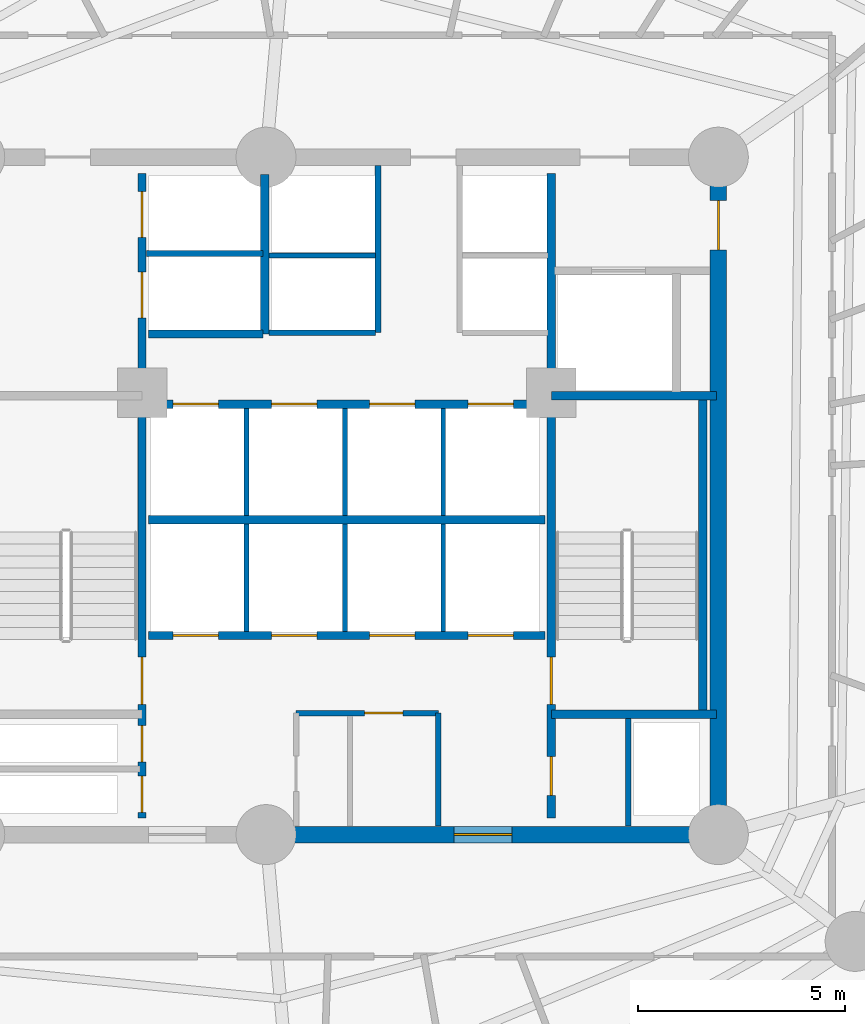
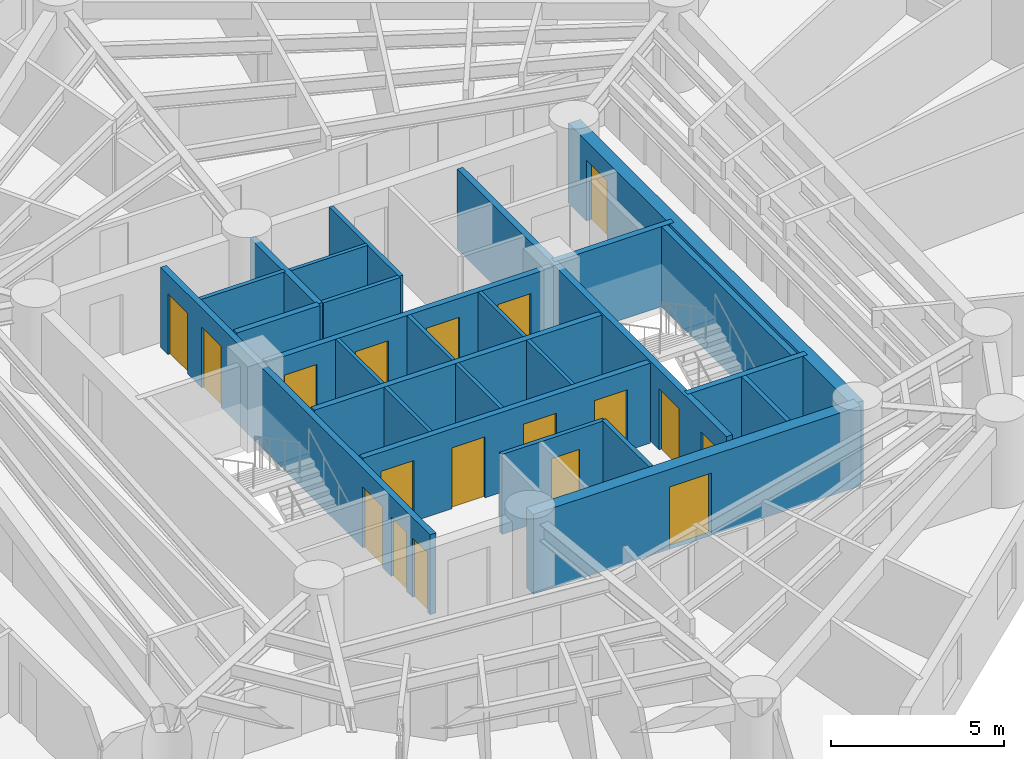
# One storey, part 4 of 9: 25 walls, 18 doors, 18 openings.
"""IFC4 building model written with IfcOpenShell, lengths in metres."""

from ifc_helpers import new_model, si_unit, direction, frame, frame_2d, origin, origin_with_axes, place, context, subcontext, project, spatial, rectangle, extrude, source, transform, mapped, material, layer, layer_set, type_object, element, fill, save


model = new_model("IFC4")

# Units and contexts
model_context = context("Model", 3, precision=1e-05, world=origin(), true_north=direction((0.0, 1.0)))
body_context = subcontext(model_context, "Body", "Model", "MODEL_VIEW")
ifc_project = project(units=[si_unit("LENGTHUNIT", "METRE"), si_unit("AREAUNIT", "SQUARE_METRE"), si_unit("VOLUMEUNIT", "CUBIC_METRE"), si_unit("PLANEANGLEUNIT", "RADIAN"), si_unit("MASSUNIT", "GRAM", prefix="KILO")], contexts=[model_context])

# Site, building, storey
site_placement = place(None, origin())
site = spatial("IfcSite", under=ifc_project, at=site_placement, CompositionType="ELEMENT")
building_placement = place(site_placement, origin())
building = spatial("IfcBuilding", under=site, at=building_placement, Name="Karkom Vertical University and Central Library", CompositionType="ELEMENT")
storey_placement = place(building_placement, frame((0.0, 0.0, 96.199951171875)))
storey = spatial("IfcBuildingStorey", under=building, at=storey_placement, Name="L25", CompositionType="ELEMENT", Elevation=96.199951171875)

# Walls
ifc_material_1 = material(Name="Moisture-resistant drywall 120mm", Category="gypsum")
ifc_layer_1 = layer(ifc_material_1, 0.1201171875)
ifc_layer_set_1 = layer_set([ifc_layer_1], Name="Moisture-resistant drywall 120mm")
wall_type_1 = type_object("IfcWallType", Name="INT-WL-INT-120H", PredefinedType="PARTITIONING", material=ifc_layer_set_1)
for number, where, z_axis, x_axis, name in (
    (1, (26.080078125, 23.219970703125, 0.0), (0.0, 0.0, 1.0), (0.0, 1.0, 0.0), "Level 25 Interior Partition Wall L25-CW-PL-DIV1"),
    (2, (28.4599609375, 23.219970703125, 0.0), (0.0, 0.0, 1.0), (0.0, 1.0, 0.0), "Level 25 Interior Partition Wall L25-CW-PL-DIV2"),
    (3, (30.840087890625, 23.219970703125, 0.0), (0.0, 0.0, 1.0), (0.0, 1.0, 0.0), "Level 25 Interior Partition Wall L25-CW-PL-DIV3"),
    (4, (26.080078125, 26.02001953125, 0.0), (0.0, 0.0, 1.0), (0.0, 1.0, 0.0), "Level 25 Interior Partition Wall L25-CW-PM-DIV1"),
    (5, (28.4599609375, 26.02001953125, 0.0), (0.0, 0.0, 1.0), (0.0, 1.0, 0.0), "Level 25 Interior Partition Wall L25-CW-PM-DIV2"),
    (6, (30.840087890625, 26.02001953125, 0.0), (0.0, 0.0, 1.0), (0.0, 1.0, 0.0), "Level 25 Interior Partition Wall L25-CW-PM-DIV3"),
):
    element("IfcWall", number, at=place(storey_placement, frame(where, z_axis=z_axis, x_axis=x_axis)), inside=storey, type_object=wall_type_1, Name=name, PredefinedType="PARTITIONING", context=body_context, shape_type="SweptSolid", body=[
        extrude(rectangle(XDim=2.60009765625, YDim=0.1201171875, at=frame_2d((1.300048828125, 0.0))), origin(), (0.0, 0.0, 1.0), 2.824951171875),
    ])
wall_1_placement = place(storey_placement, frame((26.6201171875, 32.320068359375, 0.0), z_axis=(0.0, 0.0, 1.0), x_axis=(1.0, 0.0, 0.0)))
element("IfcWall", 7, at=wall_1_placement, inside=storey, type_object=wall_type_1, Name="Level 25 Interior Partition Wall L25-CW-PH-MW", PredefinedType="PARTITIONING", context=body_context, shape_type="SweptSolid", body=[
    extrude(rectangle(XDim=2.579833984375, YDim=0.1201171875, at=frame_2d((1.2900390625, 0.0))), origin(), (0.0, 0.0, 1.0), 2.824951171875),
])

# Wall, opening, door
ifc_material_2 = material(Name="Metal-stud gypsum partition 140mm", Category="gypsum")
ifc_layer_2 = layer(ifc_material_2, 0.139892578125)
ifc_layer_set_2 = layer_set([ifc_layer_2], Name="Metal-stud gypsum partition 140mm")
wall_type_2 = type_object("IfcWallType", Name="INT-WL-SUB-140", PredefinedType="PARTITIONING", material=ifc_layer_set_2)
wall_2_placement = place(storey_placement, frame((27.280029296875, 21.239990234375, 0.0), z_axis=(0.0, 0.0, 1.0), x_axis=(1.0, 0.0, 0.0)))
wall_2 = element("IfcWall", 8, at=wall_2_placement, inside=storey, type_object=wall_type_2, Name="Level 25 Interior Partition Wall L25-CW-KBAY-N", PredefinedType="PARTITIONING", context=body_context, shape_type="SweptSolid", body=[
    extrude(rectangle(XDim=3.43994140625, YDim=0.139892578125, at=frame_2d((1.719970703125, 0.0))), origin(), (0.0, 0.0, 1.0), 2.824951171875),
])
opening_1_placement = place(wall_2_placement, frame((1.64990234375, 0.0, 0.0)))
opening_1 = element("IfcOpeningElement", 9, at=opening_1_placement, cuts=wall_2, Name="Opening D-WC1", PredefinedType="OPENING", context=body_context, shape_type="SweptSolid", body=[
    extrude(rectangle(XDim=0.93994140625, YDim=2.10009765625, at=frame_2d((0.469970703125, 1.050048828125))), frame((0.0, 0.080078125, 0.0), z_axis=(0.0, -1.0, 0.0), x_axis=(1.0, 0.0, 0.0)), (0.0, 0.0, 1.0), 0.159912109375),
])
ifc_material_3 = material(Name="Fire-rated laminate moisture-resistant door", Category="wood")
door_type_1 = type_object("IfcDoorType", Name="INT-DR-WC1", OperationType="NOTDEFINED", PredefinedType="DOOR", material=ifc_material_3)
shared_shape_1 = source(origin_with_axes(), body_context, "Body", "SweptSolid", [
    extrude(rectangle(XDim=0.93994140625, YDim=2.10009765625, at=frame_2d((0.469970703125, 1.050048828125))), frame((0.0, 0.02490234375, 0.0), z_axis=(0.0, -1.0, 0.0), x_axis=(1.0, 0.0, 0.0)), (0.0, 0.0, 1.0), 0.050048828125),
])
door_1_placement = place(opening_1_placement, origin())
door_1 = element("IfcDoor", 10, at=door_1_placement, inside=storey, type_object=door_type_1, Name="Level 25 Staff WC Door", OperationType="SINGLE_SWING_LEFT", OverallHeight=2.10009765625, OverallWidth=0.93994140625, PredefinedType="DOOR", context=body_context, shape_type="MappedRepresentation", body=[
    mapped(shared_shape_1, transform((0.0, 0.0, 0.0), scale=1.0)),
])
fill(opening_1, door_1)

# Walls
wall_3_placement = place(storey_placement, frame((30.719970703125, 18.507080078125, 0.0), z_axis=(0.0, 0.0, 1.0), x_axis=(0.0, 1.0, 0.0)))
element("IfcWall", 11, at=wall_3_placement, inside=storey, type_object=wall_type_2, Name="Level 25 Interior Partition Wall L25-CW-KBAY-E", PredefinedType="PARTITIONING", context=body_context, shape_type="SweptSolid", body=[
    extrude(rectangle(XDim=2.73291015625, YDim=0.139892578125, at=frame_2d((1.366455078125, 0.0))), origin(), (0.0, 0.0, 1.0), 2.824951171875),
])
ifc_layer_3 = layer(ifc_material_2, 0.139892578125)
ifc_layer_set_3 = layer_set([ifc_layer_3], Name="Metal-stud gypsum partition 140mm")
wall_type_3 = type_object("IfcWallType", Name="INT-WL-SUB-140H", PredefinedType="PARTITIONING", material=ifc_layer_set_3)
wall_4_placement = place(storey_placement, frame((29.260009765625, 30.449951171875, 0.0), z_axis=(0.0, 0.0, 1.0), x_axis=(0.0, 1.0, 0.0)))
element("IfcWall", 12, at=wall_4_placement, inside=storey, type_object=wall_type_3, Name="Level 25 Interior Partition Wall L25-CW-PH-W", PredefinedType="PARTITIONING", context=body_context, shape_type="SweptSolid", body=[
    extrude(rectangle(XDim=4.04296875, YDim=0.139892578125, at=frame_2d((2.021484375, 0.0))), origin(), (0.0, 0.0, 1.0), 2.824951171875),
])
wall_5_placement = place(storey_placement, frame((26.6201171875, 30.449951171875, 0.0), z_axis=(0.0, 0.0, 1.0), x_axis=(1.0, 0.0, 0.0)))
element("IfcWall", 13, at=wall_5_placement, inside=storey, type_object=wall_type_3, Name="Level 25 Interior Partition Wall L25-CW-PH-S1", PredefinedType="PARTITIONING", context=body_context, shape_type="SweptSolid", body=[
    extrude(rectangle(XDim=2.579833984375, YDim=0.139892578125, at=frame_2d((1.2900390625, 0.0))), origin(), (0.0, 0.0, 1.0), 2.824951171875),
])
wall_6_placement = place(storey_placement, frame((35.320068359375, 18.507080078125, 0.0), z_axis=(0.0, 0.0, 1.0), x_axis=(0.0, 1.0, 0.0)))
element("IfcWall", 14, at=wall_6_placement, inside=storey, type_object=wall_type_3, Name="Level 25 Interior Partition Wall L25-CW-RIS-E", PredefinedType="PARTITIONING", context=body_context, shape_type="SweptSolid", body=[
    extrude(rectangle(XDim=2.603759765625, YDim=0.139892578125, at=frame_2d((1.3017578125, 0.0))), origin(), (0.0, 0.0, 1.0), 2.824951171875),
])
ifc_layer_4 = layer(ifc_material_2, 0.139892578125)
ifc_layer_set_4 = layer_set([ifc_layer_4], Name="Metal-stud gypsum partition 140mm")
wall_type_4 = type_object("IfcWallType", Name="INT-WL-SUB-140X", PredefinedType="PARTITIONING", material=ifc_layer_set_4)
wall_7_placement = place(storey_placement, frame((23.652099609375, 32.3701171875, 0.0), z_axis=(0.0, 0.0, 1.0), x_axis=(1.0, 0.0, 0.0)))
element("IfcWall", 15, at=wall_7_placement, inside=storey, type_object=wall_type_4, Name="Level 25 Interior Partition Wall L25-CW-FFL-M", PredefinedType="PARTITIONING", context=body_context, shape_type="SweptSolid", body=[
    extrude(rectangle(XDim=2.827880859375, YDim=0.139892578125, at=frame_2d((1.4140625, 0.0))), origin(), (0.0, 0.0, 1.0), 2.824951171875),
])

# Wall, opening, door
ifc_material_4 = material(Name="Concrete C50/60", Category="concrete")
ifc_layer_5 = layer(ifc_material_4, 0.39990234375)
ifc_layer_set_5 = layer_set([ifc_layer_5], Name="Concrete C50/60")
wall_type_5 = type_object("IfcWallType", Name="STR-WL-CW-400", PredefinedType="SHEAR", material=ifc_layer_set_5)
wall_8_placement = place(storey_placement, frame((26.550048828125, 18.300048828125, 0.0), z_axis=(0.0, 0.0, 1.0), x_axis=(1.0, 0.0, 0.0)))
wall_8 = element("IfcWall", 16, at=wall_8_placement, inside=storey, type_object=wall_type_5, Name="Level 25 Central Core Shear Wall SW2", PredefinedType="SHEAR", context=body_context, shape_type="SweptSolid", body=[
    extrude(rectangle(XDim=10.949951171875, YDim=0.39990234375, at=frame_2d((5.47509765625, 0.0))), origin(), (0.0, 0.0, 1.0), 2.824951171875),
])
opening_2_placement = place(wall_8_placement, frame((4.550048828125, 0.0, 0.0)))
opening_2 = element("IfcOpeningElement", 17, at=opening_2_placement, cuts=wall_8, Name="Opening FD-CLB", PredefinedType="OPENING", context=body_context, shape_type="SweptSolid", body=[
    extrude(rectangle(XDim=1.39990234375, YDim=2.199951171875, at=frame_2d((0.699951171875, 1.10009765625))), frame((0.0, 0.2099609375, 0.0), z_axis=(0.0, -1.0, 0.0), x_axis=(1.0, 0.0, 0.0)), (0.0, 0.0, 1.0), 0.419921875),
])
ifc_material_5 = material(Name="Painted steel fire door", Category="steel")
door_type_2 = type_object("IfcDoorType", Name="INT-DR-CLB", OperationType="DOUBLE_DOOR_SINGLE_SWING", PredefinedType="DOOR", material=ifc_material_5)
shared_shape_2 = source(origin_with_axes(), body_context, "Body", "SweptSolid", [
    extrude(rectangle(XDim=1.39990234375, YDim=2.199951171875, at=frame_2d((0.699951171875, 1.10009765625))), frame((0.0, 0.02490234375, 0.0), z_axis=(0.0, -1.0, 0.0), x_axis=(1.0, 0.0, 0.0)), (0.0, 0.0, 1.0), 0.050048828125),
])
door_2_placement = place(opening_2_placement, origin())
door_2 = element("IfcDoor", 18, at=door_2_placement, inside=storey, type_object=door_type_2, Name="Level 25 South Core Lobby East Exit Door", OperationType="DOUBLE_DOOR_SINGLE_SWING", OverallHeight=2.199951171875, OverallWidth=1.39990234375, PredefinedType="DOOR", context=body_context, shape_type="MappedRepresentation", body=[
    mapped(shared_shape_2, transform((0.0, 0.0, 0.0), scale=1.0)),
])
fill(opening_2, door_2)

wall_9_placement = place(storey_placement, frame((37.5, 18.300048828125, 0.0), z_axis=(0.0, 0.0, 1.0), x_axis=(0.0, 1.0, 0.0)))
wall_9 = element("IfcWall", 19, at=wall_9_placement, inside=storey, type_object=wall_type_5, Name="Level 25 Central Core Shear Wall EW", PredefinedType="SHEAR", context=body_context, shape_type="SweptSolid", body=[
    extrude(rectangle(XDim=16.39990234375, YDim=0.39990234375, at=frame_2d((8.199951171875, 0.0))), origin(), (0.0, 0.0, 1.0), 2.824951171875),
])
opening_3_placement = place(wall_9_placement, frame((14.14990234375, 0.0, 0.0)))
opening_3 = element("IfcOpeningElement", 20, at=opening_3_placement, cuts=wall_9, Name="Opening FD-SUB1", PredefinedType="OPENING", context=body_context, shape_type="SweptSolid", body=[
    extrude(rectangle(XDim=1.199951171875, YDim=2.14990234375, at=frame_2d((0.60009765625, 1.074951171875))), frame((0.0, 0.2099609375, 0.0), z_axis=(0.0, -1.0, 0.0), x_axis=(1.0, 0.0, 0.0)), (0.0, 0.0, 1.0), 0.419921875),
])
door_type_3 = type_object("IfcDoorType", Name="INT-DR-SUB1", OperationType="NOTDEFINED", PredefinedType="DOOR", material=ifc_material_5)
shared_shape_3 = source(origin_with_axes(), body_context, "Body", "SweptSolid", [
    extrude(rectangle(XDim=1.199951171875, YDim=2.14990234375, at=frame_2d((0.60009765625, 1.074951171875))), frame((0.0, 0.02490234375, 0.0), z_axis=(0.0, -1.0, 0.0), x_axis=(1.0, 0.0, 0.0)), (0.0, 0.0, 1.0), 0.050048828125),
])
door_3_placement = place(opening_3_placement, origin())
door_3 = element("IfcDoor", 21, at=door_3_placement, inside=storey, type_object=door_type_3, Name="Level 25 East Corridor Service Lobby Door", OperationType="SINGLE_SWING_LEFT", OverallHeight=2.14990234375, OverallWidth=1.199951171875, PredefinedType="DOOR", context=body_context, shape_type="MappedRepresentation", body=[
    mapped(shared_shape_3, transform((0.0, 0.0, 0.0), scale=1.0)),
])
fill(opening_3, door_3)

# Wall, openings, doors
ifc_material_6 = material(Name="Concrete C45/55", Category="concrete")
ifc_layer_6 = layer(ifc_material_6, 0.199951171875)
ifc_layer_set_6 = layer_set([ifc_layer_6], Name="Concrete C45/55")
wall_type_6 = type_object("IfcWallType", Name="STR-WL-ST-200", PredefinedType="SHEAR", material=ifc_layer_set_6)
wall_10_placement = place(storey_placement, frame((23.544921875, 18.699951171875, 0.0), z_axis=(0.0, 0.0, 1.0), x_axis=(0.0, 1.0, 0.0)))
wall_10 = element("IfcWall", 22, at=wall_10_placement, inside=storey, type_object=wall_type_6, Name="Level 25 Core Shaft Wall L25-CW-ST1-E", PredefinedType="SHEAR", context=body_context, shape_type="SweptSolid", body=[
    extrude(rectangle(XDim=15.60009765625, YDim=0.199951171875, at=frame_2d((7.800048828125, 0.0))), origin(), (0.0, 0.0, 1.0), 2.824951171875),
])
opening_4_placement = place(wall_10_placement, frame((2.75, 0.0, 0.0)))
opening_4 = element("IfcOpeningElement", 23, at=opening_4_placement, cuts=wall_10, Name="Opening FD-ST1", PredefinedType="OPENING", context=body_context, shape_type="SweptSolid", body=[
    extrude(rectangle(XDim=1.14990234375, YDim=2.14990234375, at=frame_2d((0.574951171875, 1.074951171875))), frame((0.0, 0.10986328125, 0.0), z_axis=(0.0, -1.0, 0.0), x_axis=(1.0, 0.0, 0.0)), (0.0, 0.0, 1.0), 0.219970703125),
])
opening_5_placement = place(wall_10_placement, frame((0.139892578125, 0.0, 0.0)))
opening_5 = element("IfcOpeningElement", 24, at=opening_5_placement, cuts=wall_10, Name="Opening FD-RIS", PredefinedType="OPENING", context=body_context, shape_type="SweptSolid", body=[
    extrude(rectangle(XDim=0.8798828125, YDim=2.10009765625, at=frame_2d((0.43994140625, 1.050048828125))), frame((0.0, 0.10986328125, 0.0), z_axis=(0.0, -1.0, 0.0), x_axis=(1.0, 0.0, 0.0)), (0.0, 0.0, 1.0), 0.219970703125),
])
opening_6_placement = place(wall_10_placement, frame((1.360107421875, 0.0, 0.0)))
opening_6 = element("IfcOpeningElement", 25, at=opening_6_placement, cuts=wall_10, Name="Opening FD-RIS", PredefinedType="OPENING", context=body_context, shape_type="SweptSolid", body=[
    extrude(rectangle(XDim=0.8798828125, YDim=2.10009765625, at=frame_2d((0.43994140625, 1.050048828125))), frame((0.0, 0.10986328125, 0.0), z_axis=(0.0, -1.0, 0.0), x_axis=(1.0, 0.0, 0.0)), (0.0, 0.0, 1.0), 0.219970703125),
])
opening_7_placement = place(wall_10_placement, frame((12.10009765625, 0.0, 0.0)))
opening_7 = element("IfcOpeningElement", 26, at=opening_7_placement, cuts=wall_10, Name="Opening LD-FFL", PredefinedType="OPENING", context=body_context, shape_type="SweptSolid", body=[
    extrude(rectangle(XDim=1.1201171875, YDim=2.14990234375, at=frame_2d((0.56005859375, 1.074951171875))), frame((0.0, 0.10986328125, 0.0), z_axis=(0.0, -1.0, 0.0), x_axis=(1.0, 0.0, 0.0)), (0.0, 0.0, 1.0), 0.219970703125),
])
opening_8_placement = place(wall_10_placement, frame((14.050048828125, 0.0, 0.0)))
opening_8 = element("IfcOpeningElement", 27, at=opening_8_placement, cuts=wall_10, Name="Opening LD-FFL", PredefinedType="OPENING", context=body_context, shape_type="SweptSolid", body=[
    extrude(rectangle(XDim=1.1201171875, YDim=2.14990234375, at=frame_2d((0.56005859375, 1.074951171875))), frame((0.0, 0.10986328125, 0.0), z_axis=(0.0, -1.0, 0.0), x_axis=(1.0, 0.0, 0.0)), (0.0, 0.0, 1.0), 0.219970703125),
])
ifc_material_7 = material(Name="Painted steel acoustic fire door", Category="steel")
door_type_4 = type_object("IfcDoorType", Name="INT-DR-ST1", OperationType="NOTDEFINED", PredefinedType="DOOR", material=ifc_material_7)
shared_shape_4 = source(origin_with_axes(), body_context, "Body", "SweptSolid", [
    extrude(rectangle(XDim=1.14990234375, YDim=2.14990234375, at=frame_2d((0.574951171875, 1.074951171875))), frame((0.0, 0.02490234375, 0.0), z_axis=(0.0, -1.0, 0.0), x_axis=(1.0, 0.0, 0.0)), (0.0, 0.0, 1.0), 0.050048828125),
])
door_4_placement = place(opening_4_placement, origin())
door_4 = element("IfcDoor", 28, at=door_4_placement, inside=storey, type_object=door_type_4, Name="Level 25 Stair ST-1 Fire Door", OperationType="SINGLE_SWING_LEFT", OverallHeight=2.14990234375, OverallWidth=1.14990234375, PredefinedType="DOOR", context=body_context, shape_type="MappedRepresentation", body=[
    mapped(shared_shape_4, transform((0.0, 0.0, 0.0), scale=1.0)),
])
fill(opening_4, door_4)
ifc_material_8 = material(Name="Painted steel riser access door", Category="steel")
door_type_5 = type_object("IfcDoorType", Name="INT-DR-RIS", OperationType="NOTDEFINED", PredefinedType="DOOR", material=ifc_material_8)
shared_shape_5 = source(origin_with_axes(), body_context, "Body", "SweptSolid", [
    extrude(rectangle(XDim=0.8798828125, YDim=2.10009765625, at=frame_2d((0.43994140625, 1.050048828125))), frame((0.0, 0.02490234375, 0.0), z_axis=(0.0, -1.0, 0.0), x_axis=(1.0, 0.0, 0.0)), (0.0, 0.0, 1.0), 0.050048828125),
])
door_5_placement = place(opening_5_placement, origin())
door_5 = element("IfcDoor", 29, at=door_5_placement, inside=storey, type_object=door_type_5, Name="Level 25 Electrical Riser Access Door", OperationType="SINGLE_SWING_LEFT", OverallHeight=2.10009765625, OverallWidth=0.8798828125, PredefinedType="DOOR", context=body_context, shape_type="MappedRepresentation", body=[
    mapped(shared_shape_5, transform((0.0, 0.0, 0.0), scale=1.0)),
])
fill(opening_5, door_5)
door_6_placement = place(opening_6_placement, origin())
door_6 = element("IfcDoor", 30, at=door_6_placement, inside=storey, type_object=door_type_5, Name="Level 25 Telecom Riser Access Door", OperationType="SINGLE_SWING_RIGHT", OverallHeight=2.10009765625, OverallWidth=0.8798828125, PredefinedType="DOOR", context=body_context, shape_type="MappedRepresentation", body=[
    mapped(shared_shape_5, transform((0.0, 0.0, 0.0), scale=1.0)),
])
fill(opening_6, door_6)
ifc_material_9 = material(Name="Fire-rated stainless-steel landing door", Category="steel")
door_type_6 = type_object("IfcDoorType", Name="INT-DR-LD-FFL", OperationType="SLIDING_TO_LEFT", PredefinedType="DOOR", material=ifc_material_9)
shared_shape_6 = source(origin_with_axes(), body_context, "Body", "SweptSolid", [
    extrude(rectangle(XDim=1.1201171875, YDim=2.14990234375, at=frame_2d((0.56005859375, 1.074951171875))), frame((0.0, 0.02490234375, 0.0), z_axis=(0.0, -1.0, 0.0), x_axis=(1.0, 0.0, 0.0)), (0.0, 0.0, 1.0), 0.050048828125),
])
door_7_placement = place(opening_7_placement, origin())
door_7 = element("IfcDoor", 31, at=door_7_placement, inside=storey, type_object=door_type_6, Name="Level 25 Firefighting Lift FFL-1 Landing Door", OperationType="SLIDING_TO_LEFT", OverallHeight=2.14990234375, OverallWidth=1.1201171875, PredefinedType="DOOR", context=body_context, shape_type="MappedRepresentation", body=[
    mapped(shared_shape_6, transform((0.0, 0.0, 0.0), scale=1.0)),
])
fill(opening_7, door_7)
door_8_placement = place(opening_8_placement, origin())
door_8 = element("IfcDoor", 32, at=door_8_placement, inside=storey, type_object=door_type_6, Name="Level 25 Firefighting Lift FFL-2 Landing Door", OperationType="SLIDING_TO_RIGHT", OverallHeight=2.14990234375, OverallWidth=1.1201171875, PredefinedType="DOOR", context=body_context, shape_type="MappedRepresentation", body=[
    mapped(shared_shape_6, transform((0.0, 0.0, 0.0), scale=1.0)),
])
fill(opening_8, door_8)

wall_11_placement = place(storey_placement, frame((33.455078125, 18.699951171875, 0.0), z_axis=(0.0, 0.0, 1.0), x_axis=(0.0, 1.0, 0.0)))
wall_11 = element("IfcWall", 33, at=wall_11_placement, inside=storey, type_object=wall_type_6, Name="Level 25 Core Shaft Wall L25-CW-ST2-W", PredefinedType="SHEAR", context=body_context, shape_type="SweptSolid", body=[
    extrude(rectangle(XDim=15.60009765625, YDim=0.199951171875, at=frame_2d((7.800048828125, 0.0))), origin(), (0.0, 0.0, 1.0), 2.824951171875),
])
opening_9_placement = place(wall_11_placement, frame((2.75, 0.0, 0.0)))
opening_9 = element("IfcOpeningElement", 34, at=opening_9_placement, cuts=wall_11, Name="Opening FD-ST1", PredefinedType="OPENING", context=body_context, shape_type="SweptSolid", body=[
    extrude(rectangle(XDim=1.14990234375, YDim=2.14990234375, at=frame_2d((0.574951171875, 1.074951171875))), frame((0.0, 0.10986328125, 0.0), z_axis=(0.0, -1.0, 0.0), x_axis=(1.0, 0.0, 0.0)), (0.0, 0.0, 1.0), 0.219970703125),
])
opening_10_placement = place(wall_11_placement, frame((0.550048828125, 0.0, 0.0)))
opening_10 = element("IfcOpeningElement", 35, at=opening_10_placement, cuts=wall_11, Name="Opening D-WC1", PredefinedType="OPENING", context=body_context, shape_type="SweptSolid", body=[
    extrude(rectangle(XDim=0.93994140625, YDim=2.10009765625, at=frame_2d((0.469970703125, 1.050048828125))), frame((0.0, 0.10986328125, 0.0), z_axis=(0.0, -1.0, 0.0), x_axis=(1.0, 0.0, 0.0)), (0.0, 0.0, 1.0), 0.219970703125),
])
door_9_placement = place(opening_9_placement, origin())
door_9 = element("IfcDoor", 36, at=door_9_placement, inside=storey, type_object=door_type_4, Name="Level 25 Stair ST-2 Fire Door", OperationType="SINGLE_SWING_RIGHT", OverallHeight=2.14990234375, OverallWidth=1.14990234375, PredefinedType="DOOR", context=body_context, shape_type="MappedRepresentation", body=[
    mapped(shared_shape_4, transform((0.0, 0.0, 0.0), scale=1.0)),
])
fill(opening_9, door_9)
door_10_placement = place(opening_10_placement, origin())
door_10 = element("IfcDoor", 37, at=door_10_placement, inside=storey, type_object=door_type_1, Name="Level 25 Accessible WC Door", OperationType="SINGLE_SWING_LEFT", OverallHeight=2.10009765625, OverallWidth=0.93994140625, PredefinedType="DOOR", context=body_context, shape_type="MappedRepresentation", body=[
    mapped(shared_shape_1, transform((0.0, 0.0, 0.0), scale=1.0)),
])
fill(opening_10, door_10)

wall_12_placement = place(storey_placement, frame((23.699951171875, 23.1201171875, 0.0), z_axis=(0.0, 0.0, 1.0), x_axis=(1.0, 0.0, 0.0)))
wall_12 = element("IfcWall", 38, at=wall_12_placement, inside=storey, type_object=wall_type_6, Name="Level 25 Core Shaft Wall L25-CW-B1-S", PredefinedType="SHEAR", context=body_context, shape_type="SweptSolid", body=[
    extrude(rectangle(XDim=9.60009765625, YDim=0.199951171875, at=frame_2d((4.800048828125, 0.0))), origin(), (0.0, 0.0, 1.0), 2.824951171875),
])
opening_11_placement = place(wall_12_placement, frame((0.60009765625, 0.0, 0.0)))
opening_11 = element("IfcOpeningElement", 39, at=opening_11_placement, cuts=wall_12, Name="Opening LD-PAX", PredefinedType="OPENING", context=body_context, shape_type="SweptSolid", body=[
    extrude(rectangle(XDim=1.10009765625, YDim=2.14990234375, at=frame_2d((0.550048828125, 1.074951171875))), frame((0.0, 0.10986328125, 0.0), z_axis=(0.0, -1.0, 0.0), x_axis=(1.0, 0.0, 0.0)), (0.0, 0.0, 1.0), 0.219970703125),
])
opening_12_placement = place(wall_12_placement, frame((2.97998046875, 0.0, 0.0)))
opening_12 = element("IfcOpeningElement", 40, at=opening_12_placement, cuts=wall_12, Name="Opening LD-PAX", PredefinedType="OPENING", context=body_context, shape_type="SweptSolid", body=[
    extrude(rectangle(XDim=1.10009765625, YDim=2.14990234375, at=frame_2d((0.550048828125, 1.074951171875))), frame((0.0, 0.10986328125, 0.0), z_axis=(0.0, -1.0, 0.0), x_axis=(1.0, 0.0, 0.0)), (0.0, 0.0, 1.0), 0.219970703125),
])
opening_13_placement = place(wall_12_placement, frame((5.360107421875, 0.0, 0.0)))
opening_13 = element("IfcOpeningElement", 41, at=opening_13_placement, cuts=wall_12, Name="Opening LD-PAX", PredefinedType="OPENING", context=body_context, shape_type="SweptSolid", body=[
    extrude(rectangle(XDim=1.10009765625, YDim=2.14990234375, at=frame_2d((0.550048828125, 1.074951171875))), frame((0.0, 0.10986328125, 0.0), z_axis=(0.0, -1.0, 0.0), x_axis=(1.0, 0.0, 0.0)), (0.0, 0.0, 1.0), 0.219970703125),
])
opening_14_placement = place(wall_12_placement, frame((7.739990234375, 0.0, 0.0)))
opening_14 = element("IfcOpeningElement", 42, at=opening_14_placement, cuts=wall_12, Name="Opening LD-PAX", PredefinedType="OPENING", context=body_context, shape_type="SweptSolid", body=[
    extrude(rectangle(XDim=1.10009765625, YDim=2.14990234375, at=frame_2d((0.550048828125, 1.074951171875))), frame((0.0, 0.10986328125, 0.0), z_axis=(0.0, -1.0, 0.0), x_axis=(1.0, 0.0, 0.0)), (0.0, 0.0, 1.0), 0.219970703125),
])
ifc_material_10 = material(Name="Brushed stainless-steel landing door", Category="steel")
door_type_7 = type_object("IfcDoorType", Name="INT-DR-LD-PAX", OperationType="SLIDING_TO_LEFT", PredefinedType="DOOR", material=ifc_material_10)
shared_shape_7 = source(origin_with_axes(), body_context, "Body", "SweptSolid", [
    extrude(rectangle(XDim=1.10009765625, YDim=2.14990234375, at=frame_2d((0.550048828125, 1.074951171875))), frame((0.0, 0.02490234375, 0.0), z_axis=(0.0, -1.0, 0.0), x_axis=(1.0, 0.0, 0.0)), (0.0, 0.0, 1.0), 0.050048828125),
])
door_11_placement = place(opening_11_placement, origin())
door_11 = element("IfcDoor", 43, at=door_11_placement, inside=storey, type_object=door_type_7, Name="Level 25 Lift PL-1 Landing Door", OperationType="SLIDING_TO_LEFT", OverallHeight=2.14990234375, OverallWidth=1.10009765625, PredefinedType="DOOR", context=body_context, shape_type="MappedRepresentation", body=[
    mapped(shared_shape_7, transform((0.0, 0.0, 0.0), scale=1.0)),
])
fill(opening_11, door_11)
door_12_placement = place(opening_12_placement, origin())
door_12 = element("IfcDoor", 44, at=door_12_placement, inside=storey, type_object=door_type_7, Name="Level 25 Lift PL-2 Landing Door", OperationType="SLIDING_TO_RIGHT", OverallHeight=2.14990234375, OverallWidth=1.10009765625, PredefinedType="DOOR", context=body_context, shape_type="MappedRepresentation", body=[
    mapped(shared_shape_7, transform((0.0, 0.0, 0.0), scale=1.0)),
])
fill(opening_12, door_12)
door_13_placement = place(opening_13_placement, origin())
door_13 = element("IfcDoor", 45, at=door_13_placement, inside=storey, type_object=door_type_7, Name="Level 25 Lift PL-3 Landing Door", OperationType="SLIDING_TO_LEFT", OverallHeight=2.14990234375, OverallWidth=1.10009765625, PredefinedType="DOOR", context=body_context, shape_type="MappedRepresentation", body=[
    mapped(shared_shape_7, transform((0.0, 0.0, 0.0), scale=1.0)),
])
fill(opening_13, door_13)
door_14_placement = place(opening_14_placement, origin())
door_14 = element("IfcDoor", 46, at=door_14_placement, inside=storey, type_object=door_type_7, Name="Level 25 Lift PL-4 Landing Door", OperationType="SLIDING_TO_RIGHT", OverallHeight=2.14990234375, OverallWidth=1.10009765625, PredefinedType="DOOR", context=body_context, shape_type="MappedRepresentation", body=[
    mapped(shared_shape_7, transform((0.0, 0.0, 0.0), scale=1.0)),
])
fill(opening_14, door_14)

# Wall
wall_13_placement = place(storey_placement, frame((23.699951171875, 25.919921875, 0.0), z_axis=(0.0, 0.0, 1.0), x_axis=(1.0, 0.0, 0.0)))
element("IfcWall", 47, at=wall_13_placement, inside=storey, type_object=wall_type_6, Name="Level 25 Core Shaft Wall L25-CW-B1-N", PredefinedType="SHEAR", context=body_context, shape_type="SweptSolid", body=[
    extrude(rectangle(XDim=9.60009765625, YDim=0.199951171875, at=frame_2d((4.800048828125, 0.0))), origin(), (0.0, 0.0, 1.0), 2.824951171875),
])

# Wall, openings, doors
wall_14_placement = place(storey_placement, frame((23.699951171875, 28.719970703125, 0.0), z_axis=(0.0, 0.0, 1.0), x_axis=(1.0, 0.0, 0.0)))
wall_14 = element("IfcWall", 48, at=wall_14_placement, inside=storey, type_object=wall_type_6, Name="Level 25 Core Shaft Wall L25-CW-B2-N", PredefinedType="SHEAR", context=body_context, shape_type="SweptSolid", body=[
    extrude(rectangle(XDim=9.60009765625, YDim=0.199951171875, at=frame_2d((4.800048828125, 0.0))), origin(), (0.0, 0.0, 1.0), 2.824951171875),
])
opening_15_placement = place(wall_14_placement, frame((0.60009765625, 0.0, 0.0)))
opening_15 = element("IfcOpeningElement", 49, at=opening_15_placement, cuts=wall_14, Name="Opening LD-PAX", PredefinedType="OPENING", context=body_context, shape_type="SweptSolid", body=[
    extrude(rectangle(XDim=1.10009765625, YDim=2.14990234375, at=frame_2d((0.550048828125, 1.074951171875))), frame((0.0, 0.10986328125, 0.0), z_axis=(0.0, -1.0, 0.0), x_axis=(1.0, 0.0, 0.0)), (0.0, 0.0, 1.0), 0.219970703125),
])
opening_16_placement = place(wall_14_placement, frame((2.97998046875, 0.0, 0.0)))
opening_16 = element("IfcOpeningElement", 50, at=opening_16_placement, cuts=wall_14, Name="Opening LD-PAX", PredefinedType="OPENING", context=body_context, shape_type="SweptSolid", body=[
    extrude(rectangle(XDim=1.10009765625, YDim=2.14990234375, at=frame_2d((0.550048828125, 1.074951171875))), frame((0.0, 0.10986328125, 0.0), z_axis=(0.0, -1.0, 0.0), x_axis=(1.0, 0.0, 0.0)), (0.0, 0.0, 1.0), 0.219970703125),
])
opening_17_placement = place(wall_14_placement, frame((5.360107421875, 0.0, 0.0)))
opening_17 = element("IfcOpeningElement", 51, at=opening_17_placement, cuts=wall_14, Name="Opening LD-PAX", PredefinedType="OPENING", context=body_context, shape_type="SweptSolid", body=[
    extrude(rectangle(XDim=1.10009765625, YDim=2.14990234375, at=frame_2d((0.550048828125, 1.074951171875))), frame((0.0, 0.10986328125, 0.0), z_axis=(0.0, -1.0, 0.0), x_axis=(1.0, 0.0, 0.0)), (0.0, 0.0, 1.0), 0.219970703125),
])
opening_18_placement = place(wall_14_placement, frame((7.739990234375, 0.0, 0.0)))
opening_18 = element("IfcOpeningElement", 52, at=opening_18_placement, cuts=wall_14, Name="Opening LD-PAX", PredefinedType="OPENING", context=body_context, shape_type="SweptSolid", body=[
    extrude(rectangle(XDim=1.10009765625, YDim=2.14990234375, at=frame_2d((0.550048828125, 1.074951171875))), frame((0.0, 0.10986328125, 0.0), z_axis=(0.0, -1.0, 0.0), x_axis=(1.0, 0.0, 0.0)), (0.0, 0.0, 1.0), 0.219970703125),
])
door_15_placement = place(opening_15_placement, origin())
door_15 = element("IfcDoor", 53, at=door_15_placement, inside=storey, type_object=door_type_7, Name="Level 25 Lift PM-1 Landing Door", OperationType="SLIDING_TO_LEFT", OverallHeight=2.14990234375, OverallWidth=1.10009765625, PredefinedType="DOOR", context=body_context, shape_type="MappedRepresentation", body=[
    mapped(shared_shape_7, transform((0.0, 0.0, 0.0), scale=1.0)),
])
fill(opening_15, door_15)
door_16_placement = place(opening_16_placement, origin())
door_16 = element("IfcDoor", 54, at=door_16_placement, inside=storey, type_object=door_type_7, Name="Level 25 Lift PM-2 Landing Door", OperationType="SLIDING_TO_RIGHT", OverallHeight=2.14990234375, OverallWidth=1.10009765625, PredefinedType="DOOR", context=body_context, shape_type="MappedRepresentation", body=[
    mapped(shared_shape_7, transform((0.0, 0.0, 0.0), scale=1.0)),
])
fill(opening_16, door_16)
door_17_placement = place(opening_17_placement, origin())
door_17 = element("IfcDoor", 55, at=door_17_placement, inside=storey, type_object=door_type_7, Name="Level 25 Lift PM-3 Landing Door", OperationType="SLIDING_TO_LEFT", OverallHeight=2.14990234375, OverallWidth=1.10009765625, PredefinedType="DOOR", context=body_context, shape_type="MappedRepresentation", body=[
    mapped(shared_shape_7, transform((0.0, 0.0, 0.0), scale=1.0)),
])
fill(opening_17, door_17)
door_18_placement = place(opening_18_placement, origin())
door_18 = element("IfcDoor", 56, at=door_18_placement, inside=storey, type_object=door_type_7, Name="Level 25 Lift PM-4 Landing Door", OperationType="SLIDING_TO_RIGHT", OverallHeight=2.14990234375, OverallWidth=1.10009765625, PredefinedType="DOOR", context=body_context, shape_type="MappedRepresentation", body=[
    mapped(shared_shape_7, transform((0.0, 0.0, 0.0), scale=1.0)),
])
fill(opening_18, door_18)

# Walls
wall_15_placement = place(storey_placement, frame((37.125, 21.320068359375, 0.0), z_axis=(0.0, 0.0, 1.0), x_axis=(0.0, 1.0, 0.0)))
element("IfcWall", 57, at=wall_15_placement, inside=storey, type_object=wall_type_6, Name="Level 25 Core Shaft Wall L25-CW-ST2-E", PredefinedType="SHEAR", context=body_context, shape_type="SweptSolid", body=[
    extrude(rectangle(XDim=7.5, YDim=0.199951171875, at=frame_2d((3.75, 0.0))), origin(), (0.0, 0.0, 1.0), 2.824951171875),
])
for number, where, z_axis, x_axis, name in (
    (58, (33.455078125, 21.215087890625, 0.0), (0.0, 0.0, 1.0), (1.0, 0.0, 0.0), "Level 25 Core Shaft Wall L25-CW-ST2-S"),
    (59, (33.455078125, 28.925048828125, 0.0), (0.0, 0.0, 1.0), (1.0, 0.0, 0.0), "Level 25 Core Shaft Wall L25-CW-ST2-N"),
):
    element("IfcWall", number, at=place(storey_placement, frame(where, z_axis=z_axis, x_axis=x_axis)), inside=storey, type_object=wall_type_6, Name=name, PredefinedType="SHEAR", context=body_context, shape_type="SweptSolid", body=[
        extrude(rectangle(XDim=3.994873046875, YDim=0.199951171875, at=frame_2d((1.99755859375, 0.0))), origin(), (0.0, 0.0, 1.0), 2.824951171875),
    ])
wall_16_placement = place(storey_placement, frame((26.52001953125, 30.419921875, 0.0), z_axis=(0.0, 0.0, 1.0), x_axis=(0.0, 1.0, 0.0)))
element("IfcWall", 60, at=wall_16_placement, inside=storey, type_object=wall_type_6, Name="Level 25 Core Shaft Wall L25-CW-FFL-E", PredefinedType="SHEAR", context=body_context, shape_type="SweptSolid", body=[
    extrude(rectangle(XDim=3.860107421875, YDim=0.199951171875, at=frame_2d((1.93017578125, 0.0))), origin(), (0.0, 0.0, 1.0), 2.824951171875),
])
wall_17_placement = place(storey_placement, frame((23.699951171875, 30.419921875, 0.0), z_axis=(0.0, 0.0, 1.0), x_axis=(1.0, 0.0, 0.0)))
element("IfcWall", 61, at=wall_17_placement, inside=storey, type_object=wall_type_6, Name="Level 25 Core Shaft Wall L25-CW-FFL-S", PredefinedType="SHEAR", context=body_context, shape_type="SweptSolid", body=[
    extrude(rectangle(XDim=2.780029296875, YDim=0.199951171875, at=frame_2d((1.39013671875, 0.0))), origin(), (0.0, 0.0, 1.0), 2.824951171875),
])

save(model, "model.ifc")
